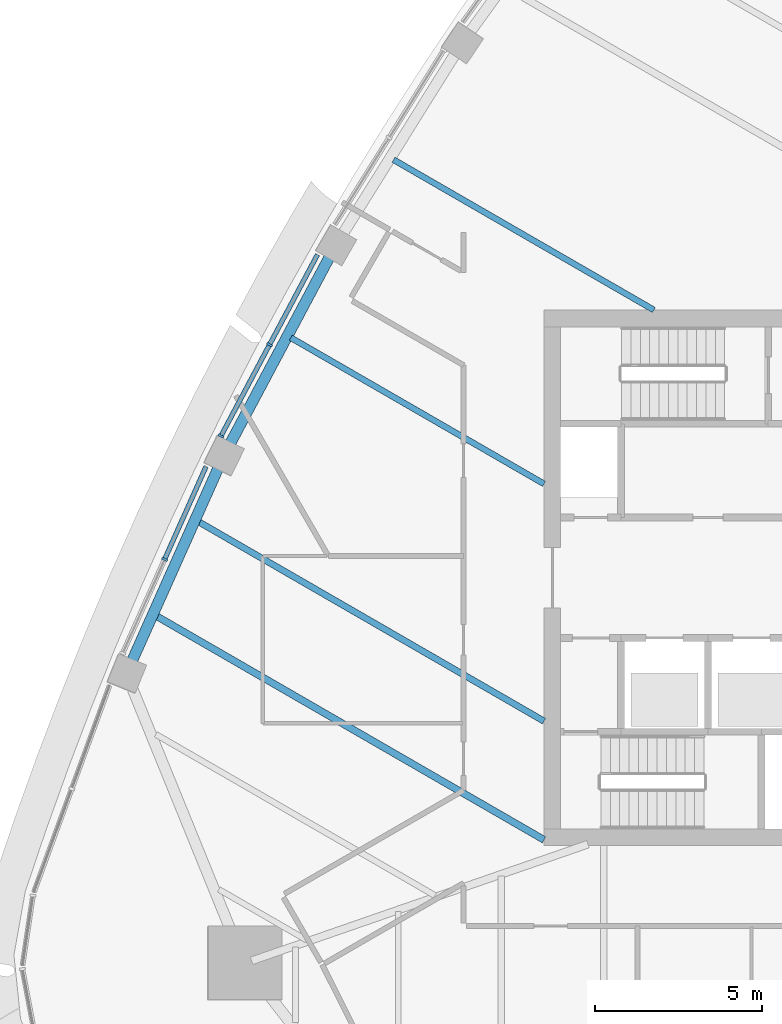
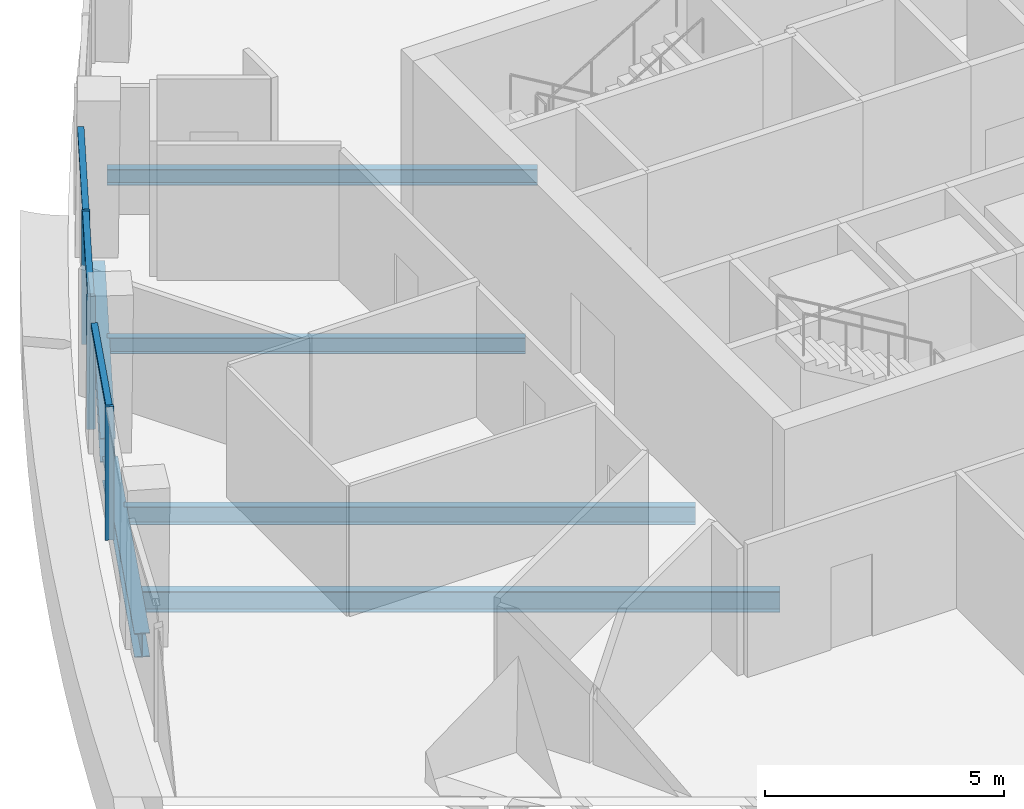
# One storey, part 3 of 15: 6 beams, 6 members, 2 elements without a shape of their own.
"""IFC4 building model written with IfcOpenShell, lengths in metres."""

from ifc_helpers import new_model, si_unit, direction, frame, origin, origin_2d, place, context, subcontext, project, spatial, rectangle, i_section, extrude, material, layer, layer_set, material_profile, profile_set, type_object, element, aggregate, save


model = new_model("IFC4")

# Units and contexts
model_context = context("Model", 3, precision=1e-05, world=origin(), true_north=direction((0.0, 1.0)))
body_context = subcontext(model_context, "Body", "Model", "MODEL_VIEW")
ifc_project = project(units=[si_unit("LENGTHUNIT", "METRE"), si_unit("AREAUNIT", "SQUARE_METRE"), si_unit("VOLUMEUNIT", "CUBIC_METRE"), si_unit("PLANEANGLEUNIT", "RADIAN"), si_unit("MASSUNIT", "GRAM", prefix="KILO")], contexts=[model_context])

# Site, building, storey
site_placement = place(None, origin())
site = spatial("IfcSite", under=ifc_project, at=site_placement, CompositionType="ELEMENT")
building_placement = place(site_placement, origin())
building = spatial("IfcBuilding", under=site, at=building_placement, Name="Sierra Prisma Convention Tower", CompositionType="ELEMENT")
storey_placement = place(building_placement, frame((0.0, 0.0, 315.0)))
storey = spatial("IfcBuildingStorey", under=building, at=storey_placement, Name="L72", CompositionType="ELEMENT", Elevation=315.0)

# Curtain wall, members
ifc_material_1 = material(Name="Aluminium and glass curtain wall", Category="aluminium")
ifc_layer = layer(ifc_material_1, 0.179931640625)
ifc_layer_set = layer_set([ifc_layer], Name="CW-1 Plain shaft curtain wall")
curtain_wall_type = type_object("IfcCurtainWallType", Name="CW-1 Plain shaft curtain wall", PredefinedType="NOTDEFINED", material=ifc_layer_set)
curtain_wall_1_placement = place(storey_placement, origin())
curtain_wall_1 = element("IfcCurtainWall", 1, at=curtain_wall_1_placement, inside=storey, type_object=curtain_wall_type, Name="CW-1 NW4 L72", PredefinedType="NOTDEFINED")
ifc_material_2 = material(Name="Aluminium 6063-T6 bronze anodised", Category="aluminium")
ifc_material_profile_1 = material_profile(ifc_material_2, rectangle(XDim=0.179931640625, YDim=0.070068359375, at=origin_2d()), Name="ALU MULLION 70x180")
ifc_profile_set_1 = profile_set([ifc_material_profile_1], Name="Aluminium 6063-T6 bronze anodised")
member_type_1 = type_object("IfcMemberType", Name="CW mullion bronze", PredefinedType="MULLION", material=ifc_profile_set_1)
member_1_placement = place(storey_placement, frame((-19.200439453125, 6.962646484375, 0.0), z_axis=(0.0, 0.0, 1.0), x_axis=(0.882774375908, -0.469797191606, 0.0)))
member_1 = element("IfcMember", 2, at=member_1_placement, type_object=member_type_1, Name="CW-1 mullion NW4.2", PredefinedType="MULLION", context=body_context, shape_type="SweptSolid", body=[
    extrude(rectangle(XDim=0.179931640625, YDim=0.070068359375, at=origin_2d()), origin(), (0.0, 0.0, 1.0), 3.39990234375),
])
member_2_placement = place(storey_placement, frame((-20.65087890625, 4.2373046875, 0.0), z_axis=(0.0, 0.0, 1.0), x_axis=(0.882774375908, -0.469797191606, 0.0)))
member_2 = element("IfcMember", 3, at=member_2_placement, type_object=member_type_1, Name="CW-1 mullion NW4.3", PredefinedType="MULLION", context=body_context, shape_type="SweptSolid", body=[
    extrude(rectangle(XDim=0.179931640625, YDim=0.070068359375, at=origin_2d()), origin(), (0.0, 0.0, 1.0), 3.39990234375),
])

# Curtain wall, member
curtain_wall_2_placement = place(storey_placement, origin())
curtain_wall_2 = element("IfcCurtainWall", 4, at=curtain_wall_2_placement, inside=storey, type_object=curtain_wall_type, Name="CW-1 NW5 L72", PredefinedType="NOTDEFINED")
member_3_placement = place(storey_placement, frame((-22.334716796875, 0.55078125, 0.0), z_axis=(0.0, 0.0, 1.0), x_axis=(0.913094844037, -0.407747232722, 0.0)))
member_3 = element("IfcMember", 5, at=member_3_placement, type_object=member_type_1, Name="CW-1 mullion NW5.2", PredefinedType="MULLION", context=body_context, shape_type="SweptSolid", body=[
    extrude(rectangle(XDim=0.179931640625, YDim=0.070068359375, at=origin_2d()), origin(), (0.0, 0.0, 1.0), 3.39990234375),
])

# Member
ifc_material_3 = material(Name="Aluminium 6063-T6 bronze anodised", Category="aluminium")
ifc_material_profile_2 = material_profile(ifc_material_3, rectangle(XDim=0.139892578125, YDim=0.1201171875, at=origin_2d()), Name="ALU TRANSOM 120x140")
ifc_profile_set_2 = profile_set([ifc_material_profile_2], Name="Aluminium 6063-T6 bronze anodised")
member_type_2 = type_object("IfcMemberType", Name="CW transom bronze", PredefinedType="USERDEFINED", material=ifc_profile_set_2)
member_4_placement = place(storey_placement, frame((-17.766357421875, 9.657470703125, 3.340087890625), z_axis=(-0.469819592331, -0.882762454266, 0.0), x_axis=(0.882762454266, -0.469819592331, 0.0)))
member_4 = element("IfcMember", 6, at=member_4_placement, type_object=member_type_2, Name="CW-1 transom NW4.1", ObjectType="TRANSOM", PredefinedType="USERDEFINED", context=body_context, shape_type="SweptSolid", body=[
    extrude(rectangle(XDim=0.139892578125, YDim=0.1201171875, at=origin_2d()), origin(), (0.0, 0.0, 1.0), 3.017578125),
])

member_5_placement = place(storey_placement, frame((-19.217041015625, 6.931884765625, 3.340087890625), z_axis=(-0.469756541362, -0.882796008061, 0.0), x_axis=(0.882796008061, -0.469756541362, 0.0)))
member_5 = element("IfcMember", 7, at=member_5_placement, type_object=member_type_2, Name="CW-1 transom NW4.2", ObjectType="TRANSOM", PredefinedType="USERDEFINED", context=body_context, shape_type="SweptSolid", body=[
    extrude(rectangle(XDim=0.139892578125, YDim=0.1201171875, at=origin_2d()), origin(), (0.0, 0.0, 1.0), 3.017578125),
])

aggregate(curtain_wall_1, [member_1, member_2, member_4, member_5])

member_6_placement = place(storey_placement, frame((-21.096435546875, 3.32373046875, 3.340087890625), z_axis=(-0.407782830604, -0.913078946787, 0.0), x_axis=(0.913078946787, -0.407782830604, 0.0)))
member_6 = element("IfcMember", 8, at=member_6_placement, type_object=member_type_2, Name="CW-1 transom NW5.1", ObjectType="TRANSOM", PredefinedType="USERDEFINED", context=body_context, shape_type="SweptSolid", body=[
    extrude(rectangle(XDim=0.139892578125, YDim=0.1201171875, at=origin_2d()), origin(), (0.0, 0.0, 1.0), 3.001953125),
])

aggregate(curtain_wall_2, [member_3, member_6])

# Beams
ifc_material_4 = material(Name="Steel ASTM A992 Gr 50", Category="steel")
ifc_material_profile_3 = material_profile(ifc_material_4, i_section(OverallWidth=0.177978515625, OverallDepth=0.406982421875, WebThickness=0.0078125, FlangeThickness=0.0126953125, at=origin_2d()), Name="W410x60")
ifc_profile_set_3 = profile_set([ifc_material_profile_3], Name="Steel ASTM A992 Gr 50")
beam_type_1 = type_object("IfcBeamType", Name="Floor joist W410x60", PredefinedType="JOIST", material=ifc_profile_set_3)
beam_1_placement = place(storey_placement, frame((-15.49462890625, 12.490966796875, -0.353515625), z_axis=(0.866031691937, -0.499989108442, 0.0), x_axis=(0.499989108442, 0.866031691937, 0.0)))
element("IfcBeam", 9, at=beam_1_placement, inside=storey, type_object=beam_type_1, Name="Floor joist L72 NW06", PredefinedType="JOIST", context=body_context, shape_type="SweptSolid", body=[
    extrude(i_section(OverallWidth=0.177978515625, OverallDepth=0.406982421875, WebThickness=0.0078125, FlangeThickness=0.0126953125, at=origin_2d()), origin(), (0.0, 0.0, 1.0), 8.982177734375),
])
beam_2_placement = place(storey_placement, frame((-18.564697265625, 7.173095703125, -0.353515625), z_axis=(0.866027801201, -0.499995847529, 0.0), x_axis=(0.499995847529, 0.866027801201, 0.0)))
element("IfcBeam", 10, at=beam_2_placement, inside=storey, type_object=beam_type_1, Name="Floor joist L72 NW08", PredefinedType="JOIST", context=body_context, shape_type="SweptSolid", body=[
    extrude(i_section(OverallWidth=0.177978515625, OverallDepth=0.406982421875, WebThickness=0.0078125, FlangeThickness=0.0126953125, at=origin_2d()), origin(), (0.0, 0.0, 1.0), 8.73486328125),
])
ifc_material_5 = material(Name="Steel ASTM A992 Gr 50", Category="steel")
ifc_material_profile_4 = material_profile(ifc_material_5, i_section(OverallWidth=0.18994140625, OverallDepth=0.45703125, WebThickness=0.009033203125, FlangeThickness=0.014404296875, at=origin_2d()), Name="W460x74")
ifc_profile_set_4 = profile_set([ifc_material_profile_4], Name="Steel ASTM A992 Gr 50")
beam_type_2 = type_object("IfcBeamType", Name="Floor joist W460x74", PredefinedType="JOIST", material=ifc_profile_set_4)
beam_3_placement = place(storey_placement, frame((-21.325439453125, 1.676513671875, -0.37841796875), z_axis=(0.866033161548, -0.499986562919, 0.0), x_axis=(0.499986562919, 0.866033161548, 0.0)))
element("IfcBeam", 11, at=beam_3_placement, inside=storey, type_object=beam_type_2, Name="Floor joist L72 NW10", PredefinedType="JOIST", context=body_context, shape_type="SweptSolid", body=[
    extrude(i_section(OverallWidth=0.18994140625, OverallDepth=0.45703125, WebThickness=0.009033203125, FlangeThickness=0.014404296875, at=origin_2d()), origin(), (0.0, 0.0, 1.0), 11.922607421875),
])
ifc_material_6 = material(Name="Steel ASTM A992 Gr 50", Category="steel")
ifc_material_profile_5 = material_profile(ifc_material_6, i_section(OverallWidth=0.208984375, OverallDepth=0.532958984375, WebThickness=0.01025390625, FlangeThickness=0.015625, at=origin_2d()), Name="W530x92")
ifc_profile_set_5 = profile_set([ifc_material_profile_5], Name="Steel ASTM A992 Gr 50")
beam_type_3 = type_object("IfcBeamType", Name="Floor joist W530x92", PredefinedType="JOIST", material=ifc_profile_set_5)
beam_4_placement = place(storey_placement, frame((-22.583984375, -1.141845703125, -0.41650390625), z_axis=(0.866018413782, -0.500012106844, 0.0), x_axis=(0.500012106844, 0.866018413782, 0.0)))
element("IfcBeam", 12, at=beam_4_placement, inside=storey, type_object=beam_type_3, Name="Floor joist L72 NW11", PredefinedType="JOIST", context=body_context, shape_type="SweptSolid", body=[
    extrude(i_section(OverallWidth=0.208984375, OverallDepth=0.532958984375, WebThickness=0.01025390625, FlangeThickness=0.015625, at=origin_2d()), origin(), (0.0, 0.0, 1.0), 13.376220703125),
])
ifc_material_7 = material(Name="Steel ASTM A992 Gr 50", Category="steel")
ifc_material_profile_6 = material_profile(ifc_material_7, i_section(OverallWidth=0.324951171875, OverallDepth=0.615966796875, WebThickness=0.013916015625, FlangeThickness=0.021484375, at=origin_2d()), Name="W610x174")
ifc_profile_set_6 = profile_set([ifc_material_profile_6], Name="Steel ASTM A992 Gr 50")
beam_type_4 = type_object("IfcBeamType", Name="Spandrel beam W610x174", PredefinedType="BEAM", material=ifc_profile_set_6)
beam_5_placement = place(storey_placement, frame((-17.374267578125, 9.64990234375, -0.4580078125), z_axis=(-0.469777491796, -0.882784859523, 0.0), x_axis=(0.882784859523, -0.469777491796, 0.0)))
element("IfcBeam", 13, at=beam_5_placement, inside=storey, type_object=beam_type_4, Name="Spandrel L72-16", PredefinedType="BEAM", context=body_context, shape_type="SweptSolid", body=[
    extrude(i_section(OverallWidth=0.324951171875, OverallDepth=0.615966796875, WebThickness=0.013916015625, FlangeThickness=0.021484375, at=origin_2d()), origin(), (0.0, 0.0, 1.0), 6.47216796875),
])
beam_6_placement = place(storey_placement, frame((-20.70458984375, 3.34326171875, -0.4580078125), z_axis=(-0.407754741132, -0.913091491081, 0.0), x_axis=(0.913091491081, -0.407754741132, 0.0)))
element("IfcBeam", 14, at=beam_6_placement, inside=storey, type_object=beam_type_4, Name="Spandrel L72-17", PredefinedType="BEAM", context=body_context, shape_type="SweptSolid", body=[
    extrude(i_section(OverallWidth=0.324951171875, OverallDepth=0.615966796875, WebThickness=0.013916015625, FlangeThickness=0.021484375, at=origin_2d()), origin(), (0.0, 0.0, 1.0), 6.472412109375),
])

save(model, "model.ifc")
